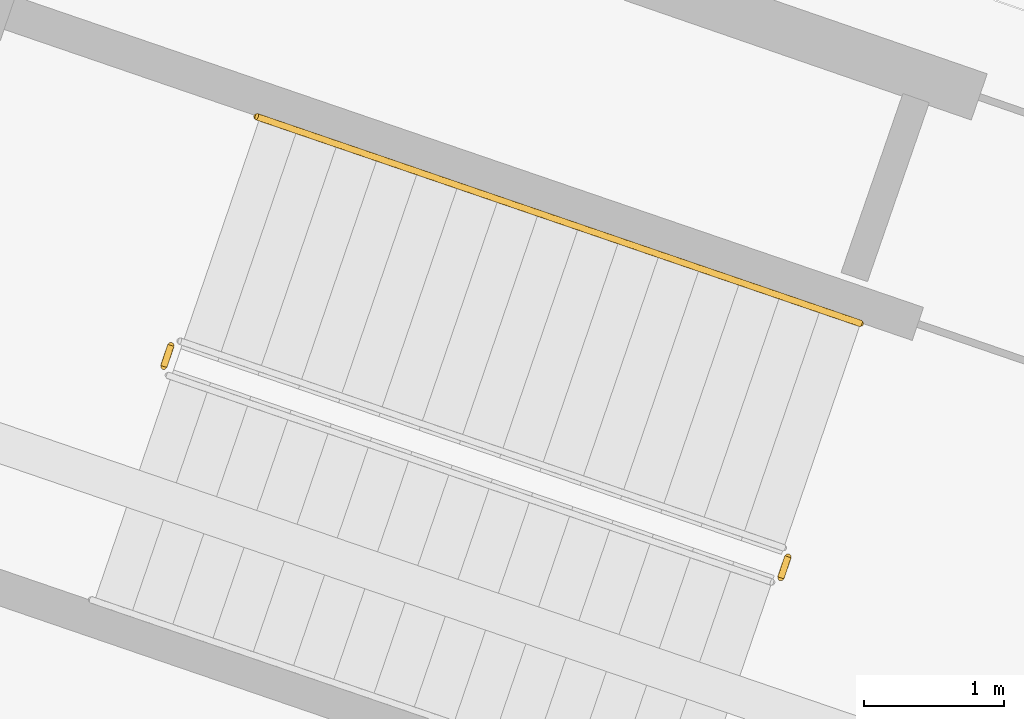
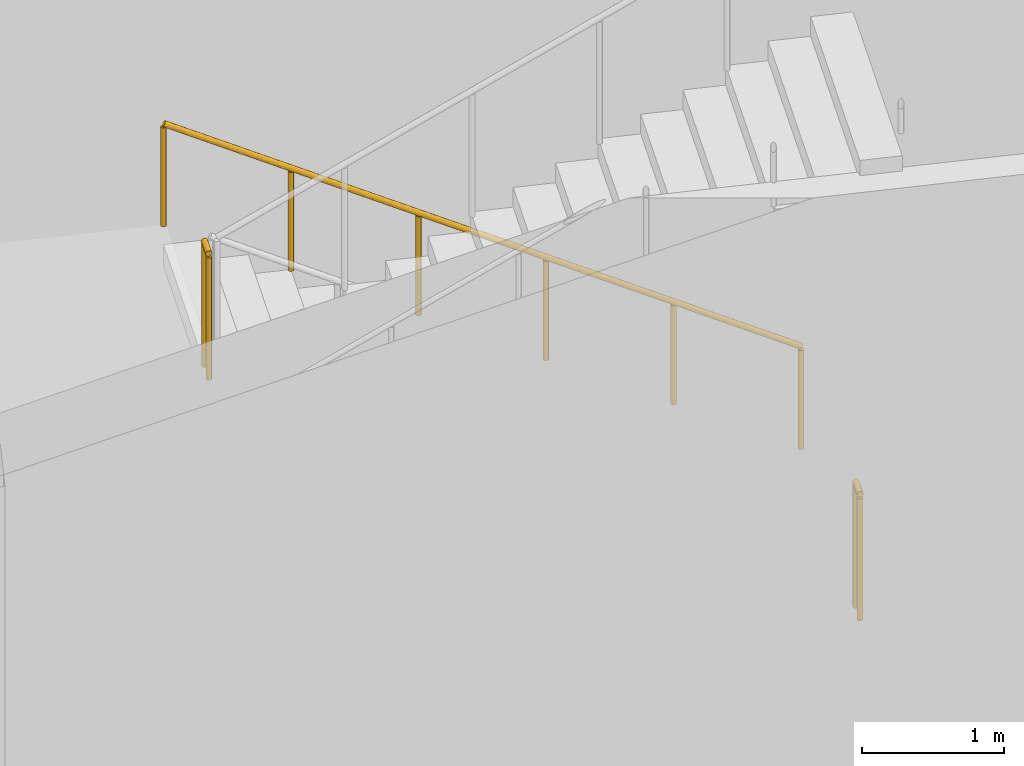
# One storey, part 97 of 103: 3 railings.
"""IFC4 building model written with IfcOpenShell, lengths in metres."""

from ifc_helpers import new_model, si_unit, direction, frame, origin, origin_2d, place, context, subcontext, project, spatial, circle, extrude, material, type_object, element, save


model = new_model("IFC4")

# Units and contexts
model_context = context("Model", 3, precision=1e-05, world=origin(), true_north=direction((0.0, 1.0)))
body_context = subcontext(model_context, "Body", "Model", "MODEL_VIEW")
ifc_project = project(units=[si_unit("LENGTHUNIT", "METRE"), si_unit("AREAUNIT", "SQUARE_METRE"), si_unit("VOLUMEUNIT", "CUBIC_METRE"), si_unit("PLANEANGLEUNIT", "RADIAN"), si_unit("MASSUNIT", "GRAM", prefix="KILO")], contexts=[model_context])

# Site, building, storey
site_placement = place(None, origin())
site = spatial("IfcSite", under=ifc_project, at=site_placement, CompositionType="ELEMENT")
building_placement = place(site_placement, origin())
building = spatial("IfcBuilding", under=site, at=building_placement, Name="Zevraka Park Crest Stadium", CompositionType="ELEMENT")
storey_placement = place(building_placement, origin())
storey = spatial("IfcBuildingStorey", under=building, at=storey_placement, Name="L00", CompositionType="ELEMENT", Elevation=0.0)

# Railings
ifc_material_1 = material(Name="Powder-coated tubular steel stairwell guard", Category="steel")
railing_type_1 = type_object("IfcRailingType", Name="GR03", PredefinedType="GUARDRAIL", material=ifc_material_1)
railing_1_placement = place(storey_placement, frame((147.39013671875, 156.801513671875, 2.699951171875)))
element("IfcRailing", 1, at=railing_1_placement, inside=storey, type_object=railing_type_1, Name="L00 ST05 stair guard 2", PredefinedType="GUARDRAIL", context=body_context, shape_type="SweptSolid", body=[
    extrude(circle(Radius=0.02392578125, at=origin_2d()), frame((0.0, 0.0, 1.076171875), z_axis=(-0.323077276119, -0.946372587122, 0.0), x_axis=(0.946372587122, -0.323077276119, 0.0)), (0.0, 0.0, 1.0), 0.16015625),
    extrude(circle(Radius=0.02099609375, at=origin_2d()), origin(), (0.0, 0.0, 1.0), 1.052001953125),
    extrude(circle(Radius=0.02099609375, at=origin_2d()), frame((-0.0517578125, -0.151611328125, 0.0)), (0.0, 0.0, 1.0), 1.052001953125),
])
railing_2_placement = place(storey_placement, frame((151.81298828125, 155.286865234375, 0.0)))
element("IfcRailing", 2, at=railing_2_placement, inside=storey, type_object=railing_type_1, Name="L00 ST05 stair guard 4", PredefinedType="GUARDRAIL", context=body_context, shape_type="SweptSolid", body=[
    extrude(circle(Radius=0.02392578125, at=origin_2d()), frame((0.0, 0.0, 1.076171875), z_axis=(-0.32354385955, -0.946213174156, 0.0), x_axis=(0.946213174156, -0.32354385955, 0.0)), (0.0, 0.0, 1.0), 0.159912109375),
    extrude(circle(Radius=0.02099609375, at=origin_2d()), origin(), (0.0, 0.0, 1.0), 1.052001953125),
    extrude(circle(Radius=0.02099609375, at=origin_2d()), frame((-0.0517578125, -0.1513671875, 0.0)), (0.0, 0.0, 1.0), 1.052001953125),
])
ifc_material_2 = material(Name="Brushed stainless steel continuous handrail", Category="steel")
railing_type_2 = type_object("IfcRailingType", Name="HR01", PredefinedType="HANDRAIL", material=ifc_material_2)
railing_3_placement = place(storey_placement, frame((152.33251953125, 156.958740234375, 0.168701171875)))
element("IfcRailing", 3, at=railing_3_placement, inside=storey, type_object=railing_type_2, Name="L00 ST05 stair handrail 1", PredefinedType="HANDRAIL", context=body_context, shape_type="SweptSolid", body=[
    extrude(circle(Radius=0.02392578125, at=origin_2d()), frame((0.0, 0.0, 0.8759765625), z_axis=(-0.827801877085, 0.283482919437, 0.484129617645), x_axis=(-0.323981851812, -0.946063295819, 0.0)), (0.0, 0.0, 1.0), 5.228515625),
    extrude(circle(Radius=0.02099609375, at=origin_2d()), origin(), (0.0, 0.0, 1.0), 0.851806640625),
    extrude(circle(Radius=0.02099609375, at=origin_2d()), frame((-0.86572265625, 0.29638671875, 0.50634765625)), (0.0, 0.0, 1.0), 0.851806640625),
    extrude(circle(Radius=0.02099609375, at=origin_2d()), frame((-1.731201171875, 0.5927734375, 1.012451171875)), (0.0, 0.0, 1.0), 0.851806640625),
    extrude(circle(Radius=0.02099609375, at=origin_2d()), frame((-2.596923828125, 0.889404296875, 1.518798828125)), (0.0, 0.0, 1.0), 0.851806640625),
    extrude(circle(Radius=0.02099609375, at=origin_2d()), frame((-3.46240234375, 1.185791015625, 2.02490234375)), (0.0, 0.0, 1.0), 0.851806640625),
    extrude(circle(Radius=0.02099609375, at=origin_2d()), frame((-4.328125, 1.482177734375, 2.53125)), (0.0, 0.0, 1.0), 0.851806640625),
])

save(model, "model.ifc")
